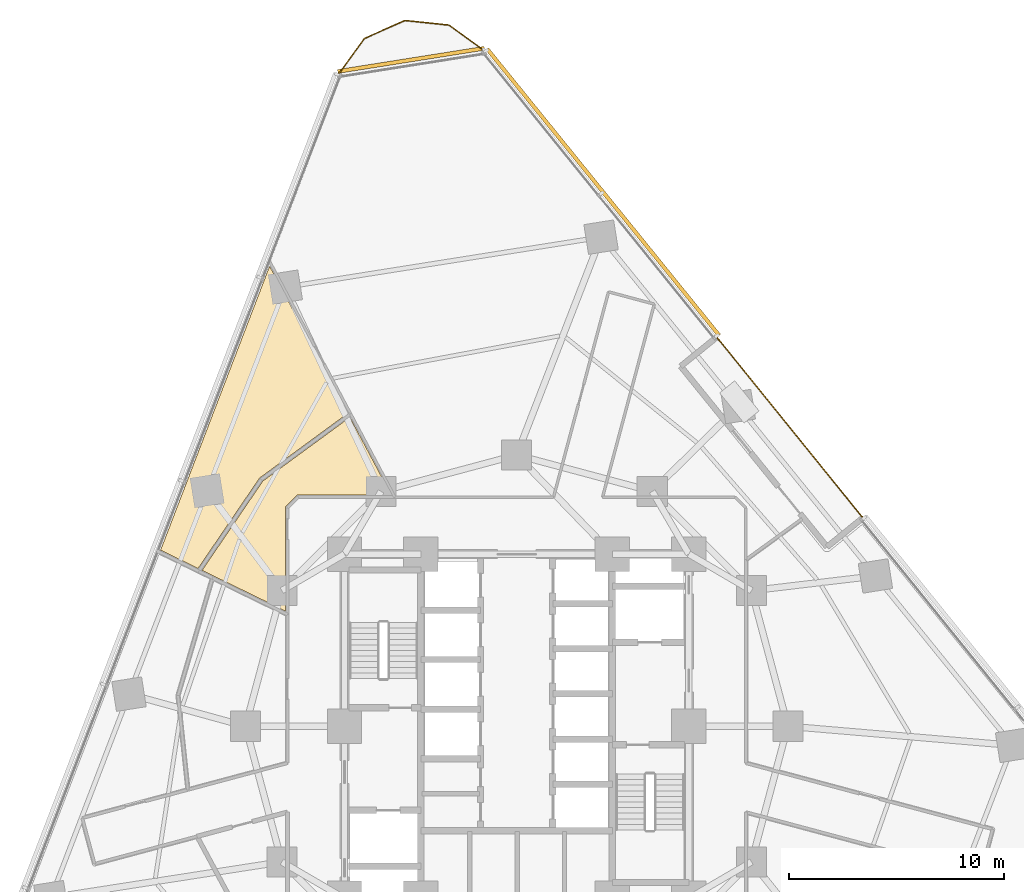
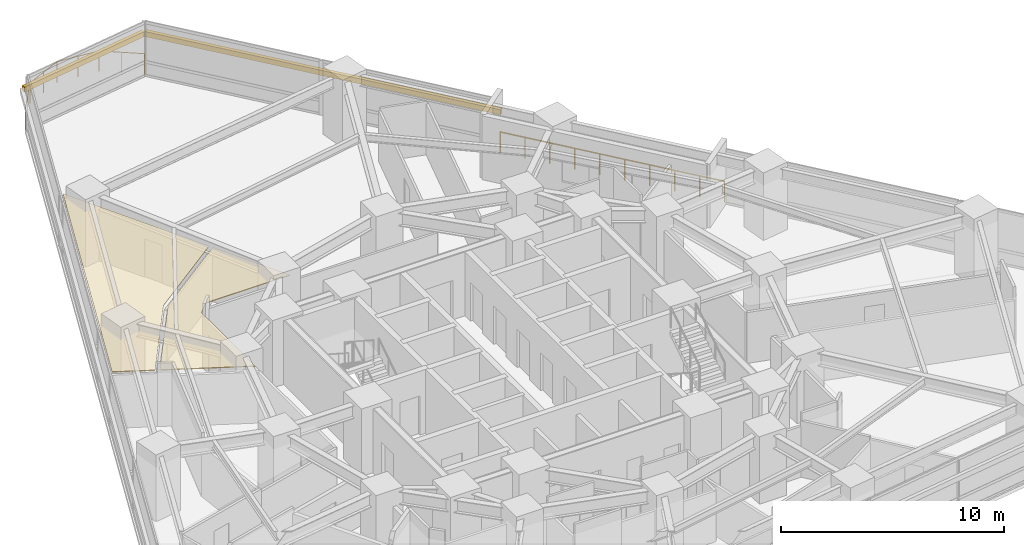
# One storey, part 13 of 13: 2 coverings, 2 railings, 2 shading devices.
"""IFC4 building model written with IfcOpenShell, lengths in metres."""

from ifc_helpers import new_model, si_unit, direction, frame, origin, origin_2d, place, context, subcontext, project, spatial, polyline, rectangle, circle, outline, extrude, material, layer, layer_set, type_object, element, save


model = new_model("IFC4")

# Units and contexts
model_context = context("Model", 3, precision=1e-05, world=origin(), true_north=direction((0.0, 1.0)))
body_context = subcontext(model_context, "Body", "Model", "MODEL_VIEW")
ifc_project = project(units=[si_unit("LENGTHUNIT", "METRE"), si_unit("AREAUNIT", "SQUARE_METRE"), si_unit("VOLUMEUNIT", "CUBIC_METRE"), si_unit("PLANEANGLEUNIT", "RADIAN"), si_unit("MASSUNIT", "GRAM", prefix="KILO")], contexts=[model_context])

# Site, building, storey
site_placement = place(None, origin())
site = spatial("IfcSite", under=ifc_project, at=site_placement, CompositionType="ELEMENT")
building_placement = place(site_placement, origin())
building = spatial("IfcBuilding", under=site, at=building_placement, Name="Terralouvre Media Tower", CompositionType="ELEMENT")
storey_placement = place(building_placement, frame((0.0, 0.0, 77.800048828125)))
storey = spatial("IfcBuildingStorey", under=building, at=storey_placement, Name="L19", CompositionType="ELEMENT", Elevation=77.800048828125)

# Coverings
ifc_material_1 = material(Name="Perforated aluminium acoustic ceiling baffle", Category="aluminium")
ifc_layer_1 = layer(ifc_material_1, 0.0400390625, Name="Perforated Acoustic Metal Tile Ceiling CL-AC1")
ifc_layer_set_1 = layer_set([ifc_layer_1], Name="Perforated aluminium acoustic ceiling baffle")
covering_type = type_object("IfcCoveringType", Name="Perforated Acoustic Metal Tile Ceiling CL-AC1", PredefinedType="CEILING", material=ifc_layer_set_1)
covering_1_placement = place(storey_placement, frame((0.0, 0.0, 2.97998046875), z_axis=(0.0, 0.0, 1.0), x_axis=(0.987688340595, 0.15643446504, 0.0)))
element("IfcCovering", 1, at=covering_1_placement, inside=storey, type_object=covering_type, Name="L19 Overnight Crew Room 9 Acoustic Ceiling", PredefinedType="CEILING", context=body_context, shape_type="SweptSolid", body=[
    extrude(outline(polyline([(-10.002685546875, 13.24609375), (-9.994384765625, 13.25390625), (-9.9853515625, 13.2607421875), (-9.9755859375, 13.266357421875), (-5.47216796875, 15.58544921875), (-7.994873046875, 22.909912109375), (-15.062255859375, 10.668212890625), (-13.473876953125, 9.55615234375), (-10.002685546875, 13.24609375)])), origin(), (0.0, 0.0, 1.0), 0.0400390625),
])
covering_2_placement = place(storey_placement, frame((0.0, 0.0, 2.97998046875), z_axis=(0.0, 0.0, 1.0), x_axis=(0.987688340595, 0.15643446504, 0.0)))
element("IfcCovering", 2, at=covering_2_placement, inside=storey, type_object=covering_type, Name="L19 ASEAN Regional Bureau Open Office 10 Acoustic Ceiling", PredefinedType="CEILING", context=body_context, shape_type="SweptSolid", body=[
    extrude(outline(polyline([(-9.86865234375, 13.096435546875), (-13.308349609375, 9.4404296875), (-12.823486328125, 9.10107421875), (-9.780029296875, 6.9697265625), (-9.02978515625, 11.706787109375), (-9.02783203125, 11.71630859375), (-9.02490234375, 11.7255859375), (-9.02099609375, 11.734619140625), (-9.016357421875, 11.743408203125), (-9.0107421875, 11.75146484375), (-9.00439453125, 11.759033203125), (-8.99755859375, 11.765869140625), (-8.98974609375, 11.77197265625), (-8.417724609375, 12.1875), (-8.409423828125, 12.19287109375), (-8.40087890625, 12.197509765625), (-8.391845703125, 12.201171875), (-8.38232421875, 12.203857421875), (-8.372802734375, 12.205810546875), (-8.363037109375, 12.20654296875), (-8.35302734375, 12.20654296875), (-8.34326171875, 12.20556640625), (-4.075927734375, 11.529541015625), (-5.406494140625, 15.394287109375), (-9.86865234375, 13.096435546875)])), origin(), (0.0, 0.0, 1.0), 0.0400390625),
])

# Railings
ifc_material_2 = material(Name="Stainless steel 316 handrail and balustrade", Category="steel")
ifc_layer_2 = layer(ifc_material_2, 0.06005859375, Name="Roof Edge Safety Guardrail GR-ROOF1")
ifc_layer_set_2 = layer_set([ifc_layer_2], Name="Stainless steel 316 handrail and balustrade")
railing_type = type_object("IfcRailingType", Name="Roof Edge Safety Guardrail GR-ROOF1", PredefinedType="GUARDRAIL", material=ifc_layer_set_2)
railing_1_placement = place(storey_placement, frame((16.090087890625, 9.683837890625, 0.0)))
element("IfcRailing", 3, at=railing_1_placement, inside=storey, type_object=railing_type, Name="L19 SG Outer Edge Glass Balustrade", PredefinedType="GUARDRAIL", context=body_context, shape_type="SweptSolid", body=[
    extrude(circle(Radius=0.02392578125, at=origin_2d()), frame((0.0, 0.0, 1.1259765625), z_axis=(-0.629323729277, 0.777143258202, 0.0), x_axis=(-0.777143258202, -0.629323729277, 0.0)), (0.0, 0.0, 1.0), 10.7998046875),
    extrude(circle(Radius=0.02099609375, at=origin_2d()), origin(), (0.0, 0.0, 1.0), 1.101806640625),
    extrude(circle(Radius=0.02099609375, at=origin_2d()), frame((-0.755126953125, 0.9326171875, 0.0)), (0.0, 0.0, 1.0), 1.101806640625),
    extrude(circle(Radius=0.02099609375, at=origin_2d()), frame((-1.51025390625, 1.865234375, 0.0)), (0.0, 0.0, 1.0), 1.101806640625),
    extrude(circle(Radius=0.02099609375, at=origin_2d()), frame((-2.265625, 2.797607421875, 0.0)), (0.0, 0.0, 1.0), 1.101806640625),
    extrude(circle(Radius=0.02099609375, at=origin_2d()), frame((-3.020751953125, 3.730224609375, 0.0)), (0.0, 0.0, 1.0), 1.101806640625),
    extrude(circle(Radius=0.02099609375, at=origin_2d()), frame((-3.77587890625, 4.662841796875, 0.0)), (0.0, 0.0, 1.0), 1.101806640625),
    extrude(circle(Radius=0.02099609375, at=origin_2d()), frame((-4.531005859375, 5.595458984375, 0.0)), (0.0, 0.0, 1.0), 1.101806640625),
    extrude(circle(Radius=0.02099609375, at=origin_2d()), frame((-5.286376953125, 6.52783203125, 0.0)), (0.0, 0.0, 1.0), 1.101806640625),
    extrude(circle(Radius=0.02099609375, at=origin_2d()), frame((-6.04150390625, 7.46044921875, 0.0)), (0.0, 0.0, 1.0), 1.101806640625),
    extrude(circle(Radius=0.02099609375, at=origin_2d()), frame((-6.796630859375, 8.39306640625, 0.0)), (0.0, 0.0, 1.0), 1.101806640625),
])
railing_2_placement = place(storey_placement, frame((-1.47998046875, 31.36669921875, 0.0)))
element("IfcRailing", 4, at=railing_2_placement, inside=storey, type_object=railing_type, Name="L19 Wind-Corner Perimeter Safety Guardrail C2", PredefinedType="GUARDRAIL", context=body_context, shape_type="SweptSolid", body=[
    extrude(circle(Radius=0.02099609375, at=origin_2d()), frame((0.0, 0.0, 1.12890625), z_axis=(-0.808843708148, 0.588023686419, 0.0), x_axis=(-0.588023686419, -0.808843708148, 0.0)), (0.0, 0.0, 1.0), 2.059814453125),
    extrude(circle(Radius=0.02099609375, at=origin_2d()), frame((-1.666015625, 1.211181640625, 1.12890625), z_axis=(-0.994517140727, 0.104573690763, 0.0), x_axis=(-0.104573690763, -0.994517140727, 0.0)), (0.0, 0.0, 1.0), 2.05908203125),
    extrude(circle(Radius=0.02099609375, at=origin_2d()), frame((-3.7138671875, 1.426513671875, 1.12890625), z_axis=(-0.913542473205, -0.406743346167, 0.0), x_axis=(0.406743346167, -0.913542473205, 0.0)), (0.0, 0.0, 1.0), 2.059326171875),
    extrude(circle(Radius=0.02099609375, at=origin_2d()), frame((-5.59521484375, 0.5888671875, 1.12890625), z_axis=(-0.587544282361, -0.80919201446, 0.0), x_axis=(0.80919201446, -0.587544282361, 0.0)), (0.0, 0.0, 1.0), 2.059814453125),
    extrude(circle(Radius=0.01904296875, at=origin_2d()), origin(), (0.0, 0.0, 1.0), 1.10791015625),
    extrude(circle(Radius=0.01904296875, at=origin_2d()), frame((-0.8330078125, 0.60546875, 0.0)), (0.0, 0.0, 1.0), 1.10791015625),
    extrude(circle(Radius=0.01904296875, at=origin_2d()), frame((-1.666015625, 1.211181640625, 0.0)), (0.0, 0.0, 1.0), 1.10791015625),
    extrude(circle(Radius=0.01904296875, at=origin_2d()), frame((-2.68994140625, 1.31884765625, 0.0)), (0.0, 0.0, 1.0), 1.10791015625),
    extrude(circle(Radius=0.01904296875, at=origin_2d()), frame((-3.7138671875, 1.426513671875, 0.0)), (0.0, 0.0, 1.0), 1.10791015625),
    extrude(circle(Radius=0.01904296875, at=origin_2d()), frame((-4.654541015625, 1.0078125, 0.0)), (0.0, 0.0, 1.0), 1.10791015625),
    extrude(circle(Radius=0.01904296875, at=origin_2d()), frame((-5.59521484375, 0.5888671875, 0.0)), (0.0, 0.0, 1.0), 1.10791015625),
    extrude(circle(Radius=0.01904296875, at=origin_2d()), frame((-6.2001953125, -0.24462890625, 0.0)), (0.0, 0.0, 1.0), 1.10791015625),
    extrude(circle(Radius=0.01904296875, at=origin_2d()), frame((-6.805419921875, -1.077880859375, 0.0)), (0.0, 0.0, 1.0), 1.10791015625),
])

# Shading devices
ifc_material_3 = material(Name="Extruded terracotta baguette sunshade louvres", Category="masonry")
shading_device_type = type_object("IfcShadingDeviceType", Name="Terracotta Baguette Sunshade Louvre Screen TB-LV1", PredefinedType="USERDEFINED", material=ifc_material_3)
shading_device_1_placement = place(storey_placement, frame((4.01513671875, 24.8173828125, 2.02392578125), z_axis=(0.0, 0.0, 1.0), x_axis=(-0.62932053153, 0.777145847699, 0.0)))
element("IfcShadingDevice", 5, at=shading_device_1_placement, inside=storey, type_object=shading_device_type, Name="CW-L19-F1R Terracotta Baguette Sunshade Louvre", ObjectType="BAGUETTE", PredefinedType="USERDEFINED", context=body_context, shape_type="SweptSolid", body=[
    extrude(rectangle(XDim=17.1201171875, YDim=0.179931640625, at=origin_2d()), origin(), (0.0, 0.0, 1.0), 0.280029296875),
])
shading_device_2_placement = place(storey_placement, frame((-4.90380859375, 30.961181640625, 2.02392578125), z_axis=(0.0, 0.0, 1.0), x_axis=(-0.987688353034, -0.156434386502, 0.0)))
element("IfcShadingDevice", 6, at=shading_device_2_placement, inside=storey, type_object=shading_device_type, Name="CW-L19-C2 Terracotta Baguette Sunshade Louvre", ObjectType="BAGUETTE", PredefinedType="USERDEFINED", context=body_context, shape_type="SweptSolid", body=[
    extrude(rectangle(XDim=6.8935546875, YDim=0.179931640625, at=origin_2d()), origin(), (0.0, 0.0, 1.0), 0.280029296875),
])

save(model, "model.ifc")
